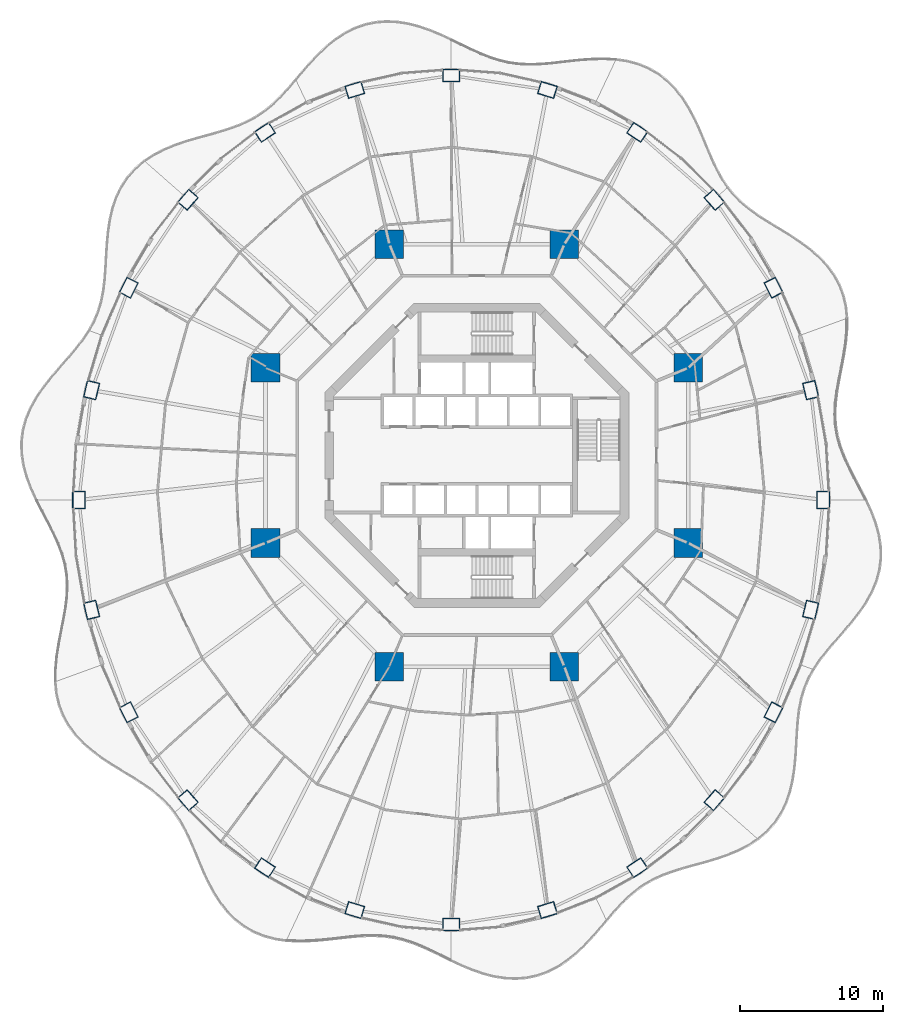
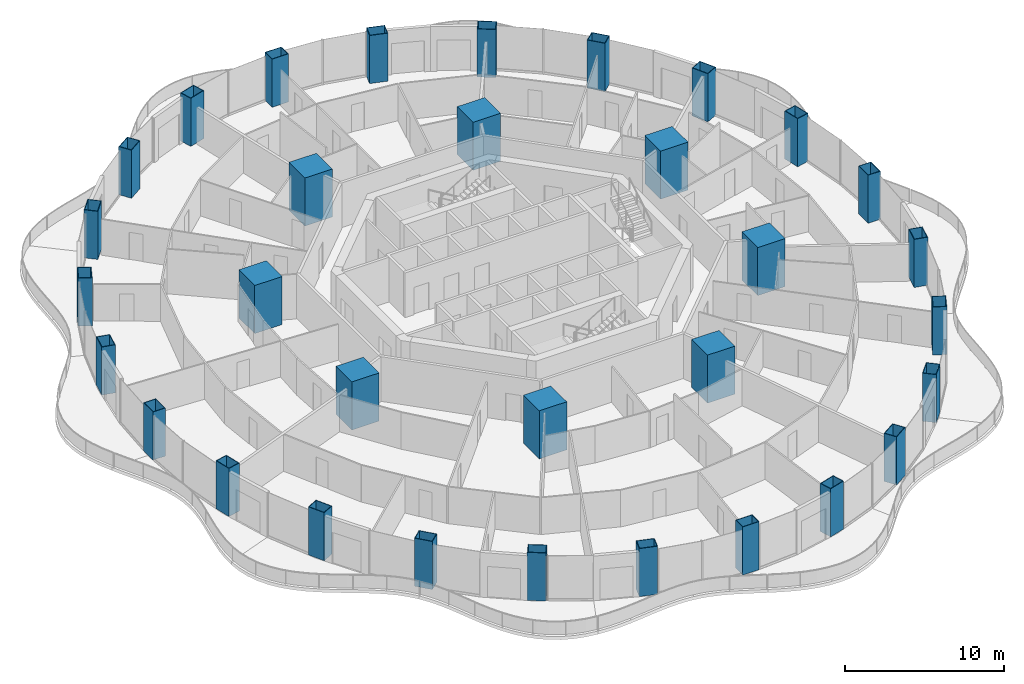
# One storey, part 1 of 20: 32 columns.
"""IFC4 building model written with IfcOpenShell, lengths in metres."""

from ifc_helpers import new_model, si_unit, direction, frame, origin, origin_2d, place, context, subcontext, project, spatial, rectangle, hollow_rectangle, extrude, material, material_profile, profile_set, type_object, element, save


model = new_model("IFC4")

# Units and contexts
model_context = context("Model", 3, precision=1e-05, world=origin(), true_north=direction((0.0, 1.0)))
body_context = subcontext(model_context, "Body", "Model", "MODEL_VIEW")
ifc_project = project(units=[si_unit("LENGTHUNIT", "METRE"), si_unit("AREAUNIT", "SQUARE_METRE"), si_unit("VOLUMEUNIT", "CUBIC_METRE"), si_unit("PLANEANGLEUNIT", "RADIAN"), si_unit("MASSUNIT", "GRAM", prefix="KILO")], contexts=[model_context])

# Site, building, storey
site_placement = place(None, origin())
site = spatial("IfcSite", under=ifc_project, at=site_placement, CompositionType="ELEMENT")
building_placement = place(site_placement, origin())
building = spatial("IfcBuilding", under=site, at=building_placement, Name="Nagisa Residences", CompositionType="ELEMENT")
storey_placement = place(building_placement, frame((0.0, 0.0, 152.89990234375)))
storey = spatial("IfcBuildingStorey", under=building, at=storey_placement, Name="L38", CompositionType="ELEMENT", Elevation=152.89990234375)

# Columns
ifc_material_1 = material(Name="Concrete C80", Category="concrete")
ifc_material_profile_1 = material_profile(ifc_material_1, rectangle(XDim=2.0, YDim=2.0, at=origin_2d()), Name="C80 2000x2000")
ifc_profile_set_1 = profile_set([ifc_material_profile_1], Name="Concrete C80")
column_type_1 = type_object("IfcColumnType", Name="Inner megacolumn C80 2000x2000", PredefinedType="COLUMN", material=ifc_profile_set_1)
for number, where, z_axis, x_axis, name in (
    (1, (14.781982421875, 6.123046875, 0.0), (0.0, 0.0, 1.0), (1.0, 0.0, 0.0), "col:L38:i1"),
    (2, (6.123046875, 14.781982421875, 0.0), (0.0, 0.0, 1.0), (1.0, 0.0, 0.0), "col:L38:i2"),
    (3, (-6.123046875, 14.781982421875, 0.0), (0.0, 0.0, 1.0), (1.0, 0.0, 0.0), "col:L38:i3"),
    (4, (-14.781982421875, 6.123046875, 0.0), (0.0, 0.0, 1.0), (1.0, 0.0, 0.0), "col:L38:i4"),
    (5, (-14.781982421875, -6.123046875, 0.0), (0.0, 0.0, 1.0), (1.0, 0.0, 0.0), "col:L38:i5"),
    (6, (-6.123046875, -14.781982421875, 0.0), (0.0, 0.0, 1.0), (1.0, 0.0, 0.0), "col:L38:i6"),
    (7, (6.123046875, -14.781982421875, 0.0), (0.0, 0.0, 1.0), (1.0, 0.0, 0.0), "col:L38:i7"),
    (8, (14.781982421875, -6.123046875, 0.0), (0.0, 0.0, 1.0), (1.0, 0.0, 0.0), "col:L38:i8"),
):
    element("IfcColumn", number, at=place(storey_placement, frame(where, z_axis=z_axis, x_axis=x_axis)), inside=storey, type_object=column_type_1, Name=name, PredefinedType="COLUMN", context=body_context, shape_type="SweptSolid", body=[
        extrude(rectangle(XDim=2.0, YDim=2.0, at=origin_2d()), origin(), (0.0, 0.0, 1.0), 3.7001953125),
    ])
ifc_material_2 = material(Name="Steel ASTM A572 Gr 50", Category="steel")
ifc_material_profile_2 = material_profile(ifc_material_2, hollow_rectangle(XDim=1.199951171875, YDim=0.89990234375, WallThickness=0.0400390625, at=origin_2d()), Name="BX 1200x900x40")
ifc_profile_set_2 = profile_set([ifc_material_profile_2], Name="Steel ASTM A572 Gr 50")
column_type_2 = type_object("IfcColumnType", Name="Perimeter column BX 1200x900x40", PredefinedType="COLUMN", material=ifc_profile_set_2)
for number, where, z_axis, x_axis, name in (
    (9, (24.235107421875, -3.11767578125, 0.0), (0.0, 0.0, 1.0), (0.0, 1.0, 0.0), "col:L38:p00"),
    (10, (23.347900390625, 4.56787109375, 0.0), (0.0, 0.0, 1.0), (-0.229202013103, 0.973378876486, 0.0), "col:L38:p01"),
    (11, (20.7470703125, 11.729736328125, 0.0), (0.0, 0.0, 1.0), (-0.452462697578, 0.891783329795, 0.0), "col:L38:p02"),
    (12, (16.609619140625, 17.8798828125, 0.0), (0.0, 0.0, 1.0), (-0.660114607735, 0.751164898445, 0.0), "col:L38:p03"),
    (13, (11.217529296875, 22.598876953125, 0.0), (0.0, 0.0, 1.0), (-0.835766105673, 0.54908561865, 0.0), "col:L38:p04"),
    (14, (4.938232421875, 25.5654296875, 0.0), (0.0, 0.0, 1.0), (-0.956524583408, 0.291651712384, 0.0), "col:L38:p05"),
    (15, (-1.800048828125, 26.577392578125, 0.0), (0.0, 0.0, 1.0), (-1.0, 0.0, 0.0), "col:L38:p06"),
    (16, (-8.538330078125, 25.5654296875, 0.0), (0.0, 0.0, 1.0), (-0.956524583408, -0.291651712384, 0.0), "col:L38:p07"),
    (17, (-14.8173828125, 22.598876953125, 0.0), (0.0, 0.0, 1.0), (-0.835766105673, -0.54908561865, 0.0), "col:L38:p08"),
    (18, (-20.20947265625, 17.8798828125, 0.0), (0.0, 0.0, 1.0), (-0.660114607735, -0.751164898445, 0.0), "col:L38:p09"),
    (19, (-24.346923828125, 11.729736328125, 0.0), (0.0, 0.0, 1.0), (-0.452462697578, -0.891783329795, 0.0), "col:L38:p10"),
    (20, (-26.947998046875, 4.56787109375, 0.0), (0.0, 0.0, 1.0), (-0.229202013103, -0.973378876486, 0.0), "col:L38:p11"),
    (21, (-27.8349609375, -3.11767578125, 0.0), (0.0, 0.0, 1.0), (0.0, -1.0, 0.0), "col:L38:p12"),
    (22, (-26.947998046875, -10.80322265625, 0.0), (0.0, 0.0, 1.0), (0.229202013103, -0.973378876486, 0.0), "col:L38:p13"),
    (23, (-24.346923828125, -17.965087890625, 0.0), (0.0, 0.0, 1.0), (0.452462697578, -0.891783329795, 0.0), "col:L38:p14"),
    (24, (-20.20947265625, -24.115234375, 0.0), (0.0, 0.0, 1.0), (0.660114607735, -0.751164898445, 0.0), "col:L38:p15"),
    (25, (-14.8173828125, -28.834228515625, 0.0), (0.0, 0.0, 1.0), (0.835766105673, -0.54908561865, 0.0), "col:L38:p16"),
    (26, (-8.538330078125, -31.80078125, 0.0), (0.0, 0.0, 1.0), (0.956524583408, -0.291651712384, 0.0), "col:L38:p17"),
    (27, (-1.800048828125, -32.812744140625, 0.0), (0.0, 0.0, 1.0), (1.0, 0.0, 0.0), "col:L38:p18"),
    (28, (4.938232421875, -31.80078125, 0.0), (0.0, 0.0, 1.0), (0.956524583408, 0.291651712384, 0.0), "col:L38:p19"),
    (29, (11.217529296875, -28.834228515625, 0.0), (0.0, 0.0, 1.0), (0.835766105673, 0.54908561865, 0.0), "col:L38:p20"),
    (30, (16.609619140625, -24.115234375, 0.0), (0.0, 0.0, 1.0), (0.660114607735, 0.751164898445, 0.0), "col:L38:p21"),
    (31, (20.7470703125, -17.965087890625, 0.0), (0.0, 0.0, 1.0), (0.452462697578, 0.891783329795, 0.0), "col:L38:p22"),
    (32, (23.347900390625, -10.80322265625, 0.0), (0.0, 0.0, 1.0), (0.229202013103, 0.973378876486, 0.0), "col:L38:p23"),
):
    element("IfcColumn", number, at=place(storey_placement, frame(where, z_axis=z_axis, x_axis=x_axis)), inside=storey, type_object=column_type_2, Name=name, PredefinedType="COLUMN", context=body_context, shape_type="SweptSolid", body=[
        extrude(hollow_rectangle(XDim=1.199951171875, YDim=0.89990234375, WallThickness=0.0400390625, at=origin_2d()), origin(), (0.0, 0.0, 1.0), 3.7001953125),
    ])

save(model, "model.ifc")
